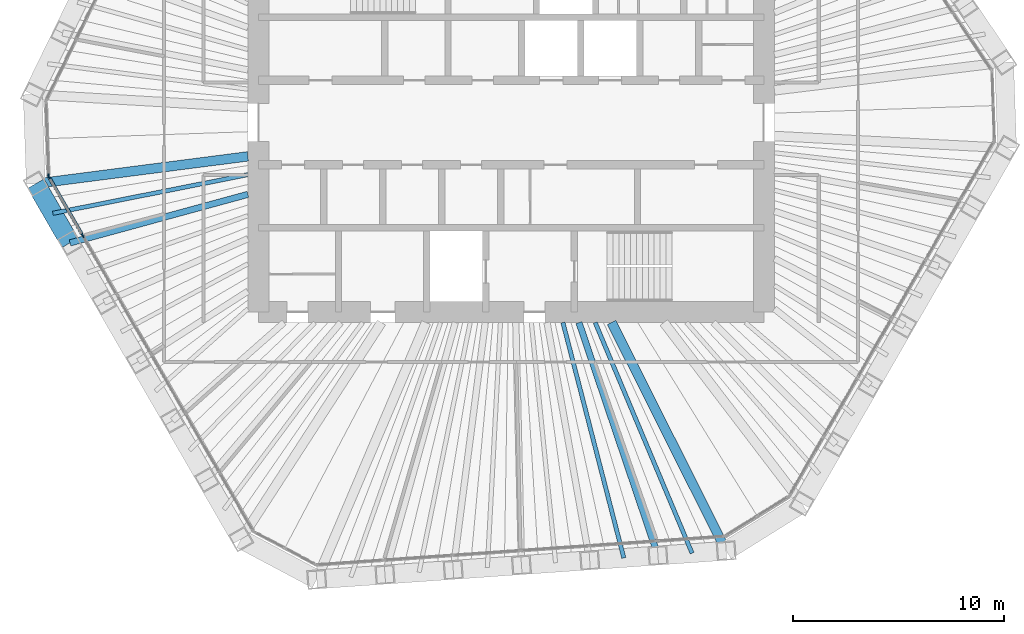
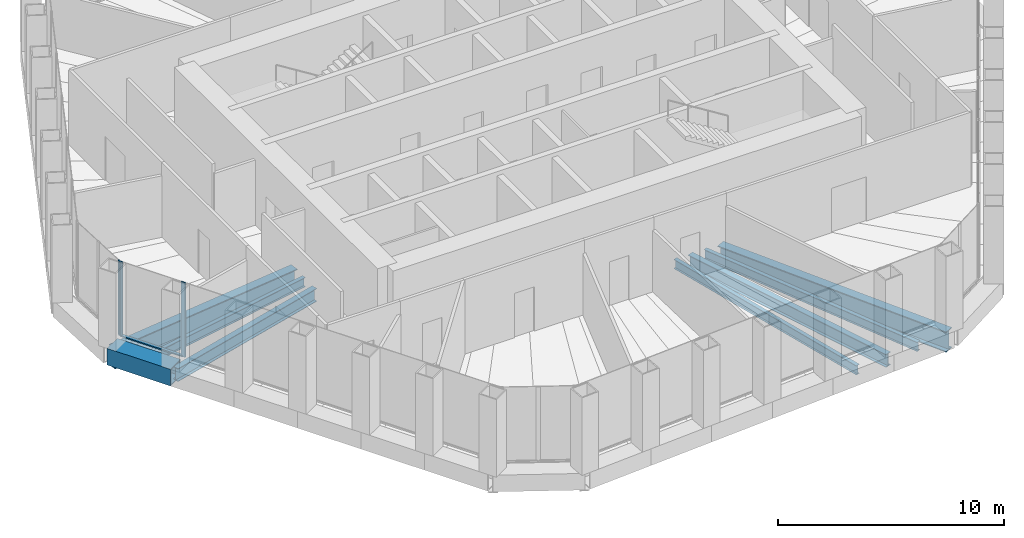
# One storey, part 3 of 14: 8 beams, 4 members, 2 elements without a shape of their own.
"""IFC4 building model written with IfcOpenShell, lengths in metres."""

import ifcopenshell
import ifcopenshell.guid

model = None  # the IFC model being written
_history = None  # IfcOwnerHistory: only IFC2X3 demands one
_inside = {}  # id of a spatial element -> (the spatial element, [elements in it])
_under = {}  # id of a project, library or spatial element -> (it, [spatial elements below it])
_declared = {}  # id of a project -> (the project, [libraries it declares])
_typed = {}  # id of a type object -> (the type object, [elements of that type])
_made_of = {}  # id of a material, layer set ... -> (it, [elements and type objects made of it])


def new_model(schema):
    """Start an empty IFC model of exactly this schema.

    Asked for "IFC4X3", IfcOpenShell would pick the latest addendum, in which some entities
    have other attributes; the version numbers below select the first issue.
    IFC2X3 requires an IfcOwnerHistory on every rooted entity: one is made here for all.
    """
    global model, _history
    if schema == "IFC4X3":
        model = ifcopenshell.file(schema_version=(4, 3, 0, 0))
    else:
        model = ifcopenshell.file(schema=schema)
    _inside.clear()
    _under.clear()
    _declared.clear()
    _typed.clear()
    _made_of.clear()
    _history = None
    if model.schema == "IFC2X3":
        org = make("IfcOrganization", Name="unknown")
        user = make(
            "IfcPersonAndOrganization",
            ThePerson=make("IfcPerson", FamilyName="unknown"),
            TheOrganization=org,
        )
        app = make(
            "IfcApplication",
            ApplicationDeveloper=org,
            Version="unknown",
            ApplicationFullName="unknown",
            ApplicationIdentifier="unknown",
        )
        _history = make(
            "IfcOwnerHistory",
            OwningUser=user,
            OwningApplication=app,
            ChangeAction="ADDED",
            CreationDate=0,
        )
    return model


def make(cls, **values):
    """One entity of the class cls with the attributes given. An attribute that is None is left unset."""
    return model.create_entity(
        cls, **{name: value for name, value in values.items() if value is not None}
    )


def rooted(cls, **values):
    """An entity with a GlobalId (a new one), such as an element, a storey or a relation."""
    return make(cls, GlobalId=ifcopenshell.guid.new(), OwnerHistory=_history, **values)


def si_unit(unit_type, name, prefix=None):
    """IfcSIUnit, for example si_unit("LENGTHUNIT", "METRE", prefix="MILLI")."""
    return make("IfcSIUnit", UnitType=unit_type, Prefix=prefix, Name=name)


def assignment(units):
    """IfcUnitAssignment: the units of a project."""
    return None if units is None else make("IfcUnitAssignment", Units=units)


def point(xyz):
    """IfcCartesianPoint."""
    return None if xyz is None else make("IfcCartesianPoint", Coordinates=xyz)


def direction(xyz):
    """IfcDirection."""
    return None if xyz is None else make("IfcDirection", DirectionRatios=xyz)


def frame(location, z_axis=None, x_axis=None):
    """IfcAxis2Placement3D, a coordinate frame: its origin and axes. An axis left out is left unset."""
    return make(
        "IfcAxis2Placement3D",
        Location=point(location),
        Axis=direction(z_axis),
        RefDirection=direction(x_axis),
    )


def frame_2d(location, x_axis=None):
    """IfcAxis2Placement2D, a coordinate frame in the plane: its origin and x axis."""
    return make(
        "IfcAxis2Placement2D", Location=point(location), RefDirection=direction(x_axis)
    )


def origin():
    """The frame at (0, 0, 0) with its axes left unset."""
    return frame((0.0, 0.0, 0.0))


def origin_2d():
    """The frame at (0, 0) in the plane with its x axis left unset."""
    return frame_2d((0.0, 0.0))


def place(relative_to, where):
    """IfcLocalPlacement: puts the frame where relative to a parent placement (None: the world)."""
    return make(
        "IfcLocalPlacement", PlacementRelTo=relative_to, RelativePlacement=where
    )


def context(
    kind, dimensions, precision=None, world=None, true_north=None, identifier=None
):
    """IfcGeometricRepresentationContext, for example the 3D "Model" context."""
    return make(
        "IfcGeometricRepresentationContext",
        ContextIdentifier=identifier,
        ContextType=kind,
        CoordinateSpaceDimension=dimensions,
        Precision=precision,
        WorldCoordinateSystem=world,
        TrueNorth=true_north,
    )


def subcontext(parent, identifier, kind, view, scale=None):
    """IfcGeometricRepresentationSubContext, for example "Body" below "Model"."""
    return make(
        "IfcGeometricRepresentationSubContext",
        ContextIdentifier=identifier,
        ContextType=kind,
        ParentContext=parent,
        TargetScale=scale,
        TargetView=view,
    )


def project(units=None, contexts=None):
    """IfcProject with its units and contexts."""
    return rooted(
        "IfcProject",
        Name="project",
        RepresentationContexts=contexts,
        UnitsInContext=assignment(units),
    )


def spatial(cls, under=None, at=None, **own):
    """A site, building, storey or space (cls), placed at a placement, below another one or the project."""
    s = rooted(cls, ObjectPlacement=at, **own)
    if under is not None:
        _under.setdefault(under.id(), (under, []))[1].append(s)
    return s


def profile(cls, at=None, kind="AREA", **sizes):
    """A parametric profile (cls). Its sizes go by their IFC names, for example OverallWidth=200.0."""
    return make(cls, ProfileType=kind, Position=at, **sizes)


def rectangle(**sizes):
    """IfcRectangleProfileDef."""
    return profile("IfcRectangleProfileDef", **sizes)


def hollow_rectangle(**sizes):
    """IfcRectangleHollowProfileDef."""
    return profile("IfcRectangleHollowProfileDef", **sizes)


def i_section(**sizes):
    """IfcIShapeProfileDef."""
    return profile("IfcIShapeProfileDef", **sizes)


def extrude(swept, where, along, depth):
    """IfcExtrudedAreaSolid: the profile swept, set in the frame where, extruded along a direction by depth."""
    return make(
        "IfcExtrudedAreaSolid",
        SweptArea=swept,
        Position=where,
        ExtrudedDirection=direction(along),
        Depth=depth,
    )


def shape(context_of_items, identifier, shape_type, items):
    """IfcShapeRepresentation: the items that make up one representation, for example the "Body"."""
    return make(
        "IfcShapeRepresentation",
        ContextOfItems=context_of_items,
        RepresentationIdentifier=identifier,
        RepresentationType=shape_type,
        Items=items,
    )


def material(Name=None, Category=None):
    """IfcMaterial."""
    return make("IfcMaterial", Name=Name, Category=Category)


def material_profile(
    of_material, cross_section, Name=None, Category=None, Priority=None
):
    """IfcMaterialProfile: a cross section and its material."""
    return make(
        "IfcMaterialProfile",
        Name=Name,
        Material=of_material,
        Profile=cross_section,
        Priority=Priority,
        Category=Category,
    )


def profile_set(profiles, Name=None, composite=None):
    """IfcMaterialProfileSet."""
    return make(
        "IfcMaterialProfileSet",
        Name=Name,
        MaterialProfiles=profiles,
        CompositeProfile=composite,
    )


def made_of(thing, what):
    """Note that an element or type object is made of a material, layer set ...; save() writes the relation."""
    if what is not None:
        _made_of.setdefault(what.id(), (what, []))[1].append(thing)
    return thing


def type_object(cls, material=None, **own):
    """A type object (cls), such as IfcWallType, which elements share."""
    return made_of(rooted(cls, **own), material)


def element(
    cls,
    number,
    at=None,
    inside=None,
    cuts=None,
    type_object=None,
    material=None,
    context=None,
    identifier="Body",
    shape_type=None,
    held_by="IfcProductDefinitionShape",
    body=None,
    shapes=None,
    **own,
):
    """One element of the class cls, such as IfcWall. Its Tag is "e" and its number.

    at: its placement. inside: the storey or other place that contains it. cuts: it is an
    opening in that element (IfcRelVoidsElement). A single representation is given by context,
    identifier, shape_type and body (its items); several are given by shapes. held_by: the class
    of the entity that holds the representations. save() writes the other relations.
    """
    e = rooted(cls, Tag="e%d" % number, ObjectPlacement=at, **own)
    if body is not None:
        shapes = [shape(context, identifier, shape_type, body)]
    if shapes is not None:
        e.Representation = make(held_by, Representations=shapes)
    if inside is not None:
        _inside.setdefault(inside.id(), (inside, []))[1].append(e)
    if cuts is not None:
        rooted(
            "IfcRelVoidsElement", RelatingBuildingElement=cuts, RelatedOpeningElement=e
        )
    if type_object is not None:
        _typed.setdefault(type_object.id(), (type_object, []))[1].append(e)
    return made_of(e, material)


def aggregate(whole, parts):
    """IfcRelAggregates: a whole, such as a stair, and the parts it consists of."""
    return rooted("IfcRelAggregates", RelatingObject=whole, RelatedObjects=parts)


def save(model, path):
    """Write the relations noted so far, then the file.

    IfcRelAggregates (storeys below a building ...), IfcRelContainedInSpatialStructure (elements
    in a storey), IfcRelDefinesByType, IfcRelAssociatesMaterial and IfcRelDeclares: one each for
    every whole, place, type object, material and project.
    """
    for whole, parts in _under.values():
        aggregate(whole, parts)
    for where, things in _inside.values():
        rooted(
            "IfcRelContainedInSpatialStructure",
            RelatedElements=things,
            RelatingStructure=where,
        )
    for kind, things in _typed.values():
        rooted("IfcRelDefinesByType", RelatedObjects=things, RelatingType=kind)
    for what, things in _made_of.values():
        rooted("IfcRelAssociatesMaterial", RelatedObjects=things, RelatingMaterial=what)
    for by, libraries in _declared.values():
        rooted("IfcRelDeclares", RelatingContext=by, RelatedDefinitions=libraries)
    model.write(path)


model = new_model("IFC4")

# Units and contexts
model_context = context("Model", 3, precision=1e-05, world=origin(), true_north=direction((0.0, 1.0)))
body_context = subcontext(model_context, "Body", "Model", "MODEL_VIEW")
ifc_project = project(units=[si_unit("LENGTHUNIT", "METRE"), si_unit("AREAUNIT", "SQUARE_METRE"), si_unit("VOLUMEUNIT", "CUBIC_METRE"), si_unit("PLANEANGLEUNIT", "RADIAN"), si_unit("MASSUNIT", "GRAM", prefix="KILO")], contexts=[model_context])

# Site, building, storey
site_placement = place(None, origin())
site = spatial("IfcSite", under=ifc_project, at=site_placement, CompositionType="ELEMENT")
building_placement = place(site_placement, origin())
building = spatial("IfcBuilding", under=site, at=building_placement, Name="Qingtian Harvest Tower", CompositionType="ELEMENT")
storey_placement = place(building_placement, frame((0.0, 0.0, 274.60009765625)))
storey = spatial("IfcBuildingStorey", under=building, at=storey_placement, Name="L60", CompositionType="ELEMENT", Elevation=274.60009765625)

# Beams
ifc_material_1 = material(Name="Steel SM570MC", Category="steel")
ifc_material_profile_1 = material_profile(ifc_material_1, i_section(OverallWidth=0.449951171875, OverallDepth=1.10009765625, WebThickness=0.02197265625, FlangeThickness=0.044921875, at=origin_2d()), Name="H1100x450x22x45")
ifc_profile_set_1 = profile_set([ifc_material_profile_1], Name="Steel SM570MC")
beam_type_1 = type_object("IfcBeamType", Name="Corner floor beam FB8 H1100x450x22x45", PredefinedType="BEAM", material=ifc_profile_set_1)
beam_1_placement = place(storey_placement, frame((10.20947265625, -20.33740234375, -0.72021484375), z_axis=(-0.448646499463, 0.89370930314, 0.0), x_axis=(-0.89370930314, -0.448646499463, 0.0)))
element("IfcBeam", 1, at=beam_1_placement, inside=storey, type_object=beam_type_1, Name="Floor beam FB8 S0", PredefinedType="BEAM", context=body_context, shape_type="SweptSolid", body=[
    extrude(i_section(OverallWidth=0.449951171875, OverallDepth=1.10009765625, WebThickness=0.02197265625, FlangeThickness=0.044921875, at=origin_2d()), origin(), (0.0, 0.0, 1.0), 12.126220703125),
])
beam_2_placement = place(storey_placement, frame((-22.569580078125, -2.908447265625, -0.72021484375), z_axis=(0.991799019918, 0.127807292784, 0.0), x_axis=(-0.127807292784, 0.991799019918, 0.0)))
element("IfcBeam", 2, at=beam_2_placement, inside=storey, type_object=beam_type_1, Name="Floor beam FB8 SW6", PredefinedType="BEAM", context=body_context, shape_type="SweptSolid", body=[
    extrude(i_section(OverallWidth=0.449951171875, OverallDepth=1.10009765625, WebThickness=0.02197265625, FlangeThickness=0.044921875, at=origin_2d()), origin(), (0.0, 0.0, 1.0), 10.15283203125),
])
ifc_material_2 = material(Name="Steel SN490B", Category="steel")
ifc_material_profile_2 = material_profile(ifc_material_2, i_section(OverallWidth=0.300048828125, OverallDepth=0.699951171875, WebThickness=0.012939453125, FlangeThickness=0.02392578125, at=origin_2d()), Name="H700x300x13x24")
ifc_profile_set_2 = profile_set([ifc_material_profile_2], Name="Steel SN490B")
beam_type_2 = type_object("IfcBeamType", Name="Floor beam FB4 H700x300x13x24", PredefinedType="BEAM", material=ifc_profile_set_2)
beam_3_placement = place(storey_placement, frame((6.96923828125, -20.56396484375, -0.52001953125), z_axis=(-0.320963665382, 0.947091508517, 0.0), x_axis=(-0.947091508517, -0.320963665382, 0.0)))
element("IfcBeam", 3, at=beam_3_placement, inside=storey, type_object=beam_type_2, Name="Floor beam FB4 S1", PredefinedType="BEAM", context=body_context, shape_type="SweptSolid", body=[
    extrude(i_section(OverallWidth=0.300048828125, OverallDepth=0.699951171875, WebThickness=0.012939453125, FlangeThickness=0.02392578125, at=origin_2d()), origin(), (0.0, 0.0, 1.0), 11.68212890625),
])
beam_4_placement = place(storey_placement, frame((-20.945556640625, -5.721435546875, -0.52001953125), z_axis=(0.964660783636, 0.263494919335, 0.0), x_axis=(-0.263494919335, 0.964660783636, 0.0)))
element("IfcBeam", 4, at=beam_4_placement, inside=storey, type_object=beam_type_2, Name="Floor beam FB4 SW5", PredefinedType="BEAM", context=body_context, shape_type="SweptSolid", body=[
    extrude(i_section(OverallWidth=0.300048828125, OverallDepth=0.699951171875, WebThickness=0.012939453125, FlangeThickness=0.02392578125, at=origin_2d()), origin(), (0.0, 0.0, 1.0), 8.7548828125),
])
ifc_material_3 = material(Name="Steel SN490B", Category="steel")
ifc_material_profile_3 = material_profile(ifc_material_3, i_section(OverallWidth=0.199951171875, OverallDepth=0.5, WebThickness=0.010009765625, FlangeThickness=0.01611328125, at=origin_2d()), Name="H500x200x10x16")
ifc_profile_set_3 = profile_set([ifc_material_profile_3], Name="Steel SN490B")
beam_type_3 = type_object("IfcBeamType", Name="Floor joist J3 H500x200x10x16", PredefinedType="JOIST", material=ifc_profile_set_3)
beam_5_placement = place(storey_placement, frame((8.58935546875, -20.45068359375, -0.420166015625), z_axis=(-0.387238075679, 0.921979757232, 0.0), x_axis=(-0.921979757232, -0.387238075679, 0.0)))
element("IfcBeam", 5, at=beam_5_placement, inside=storey, type_object=beam_type_3, Name="Floor joist J3 S0", PredefinedType="JOIST", context=body_context, shape_type="SweptSolid", body=[
    extrude(i_section(OverallWidth=0.199951171875, OverallDepth=0.5, WebThickness=0.010009765625, FlangeThickness=0.01611328125, at=origin_2d()), origin(), (0.0, 0.0, 1.0), 11.87744140625),
])
beam_6_placement = place(storey_placement, frame((5.349365234375, -20.67724609375, -0.420166015625), z_axis=(-0.250458686855, 0.968127288211, 0.0), x_axis=(-0.968127288211, -0.250458686855, 0.0)))
element("IfcBeam", 6, at=beam_6_placement, inside=storey, type_object=beam_type_3, Name="Floor joist J3 S1", PredefinedType="JOIST", context=body_context, shape_type="SweptSolid", body=[
    extrude(i_section(OverallWidth=0.199951171875, OverallDepth=0.5, WebThickness=0.010009765625, FlangeThickness=0.01611328125, at=origin_2d()), origin(), (0.0, 0.0, 1.0), 11.545166015625),
])
beam_7_placement = place(storey_placement, frame((-21.757568359375, -4.31494140625, -0.420166015625), z_axis=(0.980896774681, 0.194528962937, 0.0), x_axis=(-0.194528962937, 0.980896774681, 0.0)))
element("IfcBeam", 7, at=beam_7_placement, inside=storey, type_object=beam_type_3, Name="Floor joist J3 SW5", PredefinedType="JOIST", context=body_context, shape_type="SweptSolid", body=[
    extrude(i_section(OverallWidth=0.199951171875, OverallDepth=0.5, WebThickness=0.010009765625, FlangeThickness=0.01611328125, at=origin_2d()), origin(), (0.0, 0.0, 1.0), 9.437744140625),
])

# Curtain wall, members
ifc_material_4 = material(Name="Bronze-anodised aluminium curtain wall", Category="aluminium")
curtain_wall_type = type_object("IfcCurtainWallType", Name="Curtain wall CW5 upper office", PredefinedType="USERDEFINED", material=ifc_material_4)
curtain_wall_1_placement = place(storey_placement, origin())
curtain_wall_1 = element("IfcCurtainWall", 8, at=curtain_wall_1_placement, inside=storey, type_object=curtain_wall_type, Name="Curtain wall CW5 L60 SW0-5", ObjectType="RECESSED CURTAIN WALL", PredefinedType="USERDEFINED")
ifc_material_5 = material(Name="Bronze-anodised aluminium mullion", Category="aluminium")
ifc_material_profile_4 = material_profile(ifc_material_5, rectangle(XDim=0.06494140625, YDim=0.199951171875, at=origin_2d()), Name="AL 65x200")
ifc_profile_set_4 = profile_set([ifc_material_profile_4], Name="Bronze-anodised aluminium mullion")
member_type_1 = type_object("IfcMemberType", Name="Mullion CWM 65x200", PredefinedType="MULLION", material=ifc_profile_set_4)
member_1_placement = place(storey_placement, frame((-20.33935546875, -5.371337890625, 0.0), z_axis=(0.0, 0.0, 1.0), x_axis=(-0.866025403784, -0.5, 0.0)))
member_1 = element("IfcMember", 9, at=member_1_placement, type_object=member_type_1, Name="CW5 mullion 6", PredefinedType="MULLION", context=body_context, shape_type="SweptSolid", body=[
    extrude(rectangle(XDim=0.06494140625, YDim=0.199951171875, at=origin_2d()), origin(), (0.0, 0.0, 1.0), 4.02978515625),
])
member_2_placement = place(storey_placement, frame((-21.947021484375, -2.586669921875, 0.0), z_axis=(0.0, 0.0, 1.0), x_axis=(-0.866025403784, -0.5, 0.0)))
member_2 = element("IfcMember", 10, at=member_2_placement, type_object=member_type_1, Name="CW5 mullion 7", PredefinedType="MULLION", context=body_context, shape_type="SweptSolid", body=[
    extrude(rectangle(XDim=0.06494140625, YDim=0.199951171875, at=origin_2d()), origin(), (0.0, 0.0, 1.0), 4.02978515625),
])

# Curtain wall, member
curtain_wall_2_placement = place(storey_placement, origin())
curtain_wall_2 = element("IfcCurtainWall", 11, at=curtain_wall_2_placement, inside=storey, type_object=curtain_wall_type, Name="Curtain wall CW5 L60 SWC", ObjectType="RECESSED CURTAIN WALL", PredefinedType="USERDEFINED")
member_3_placement = place(storey_placement, frame((-21.96435546875, -2.526123046875, 0.0), z_axis=(0.0, 0.0, 1.0), x_axis=(-0.999390827019, -0.034899496703, 0.0)))
member_3 = element("IfcMember", 12, at=member_3_placement, type_object=member_type_1, Name="CW5 mullion 1", PredefinedType="MULLION", context=body_context, shape_type="SweptSolid", body=[
    extrude(rectangle(XDim=0.06494140625, YDim=0.199951171875, at=origin_2d()), origin(), (0.0, 0.0, 1.0), 4.02978515625),
])
aggregate(curtain_wall_2, [member_3])

# Beam
ifc_material_6 = material(Name="Steel SM570MC", Category="steel")
ifc_material_profile_5 = material_profile(ifc_material_6, hollow_rectangle(XDim=0.89990234375, YDim=0.89990234375, WallThickness=0.050048828125, at=origin_2d()), Name="BOX900x900x50")
ifc_profile_set_5 = profile_set([ifc_material_profile_5], Name="Steel SM570MC")
beam_type_4 = type_object("IfcBeamType", Name="Transition spandrel SB6 BOX900x900x50", PredefinedType="SPANDREL", material=ifc_profile_set_5)
beam_8_placement = place(storey_placement, frame((-20.945556640625, -5.721435546875, -0.4501953125), z_axis=(-0.499987045439, 0.866032882975, 0.0), x_axis=(-0.866032882975, -0.499987045439, 0.0)))
element("IfcBeam", 13, at=beam_8_placement, inside=storey, type_object=beam_type_4, Name="Spandrel SB6 SW5", PredefinedType="SPANDREL", context=body_context, shape_type="SweptSolid", body=[
    extrude(hollow_rectangle(XDim=0.89990234375, YDim=0.89990234375, WallThickness=0.050048828125, at=origin_2d()), origin(), (0.0, 0.0, 1.0), 3.248046875),
])

# Member
ifc_material_7 = material(Name="Bronze-anodised aluminium transom", Category="aluminium")
ifc_material_profile_6 = material_profile(ifc_material_7, rectangle(XDim=0.14990234375, YDim=0.06494140625, at=origin_2d()), Name="AL 65x150")
ifc_profile_set_6 = profile_set([ifc_material_profile_6], Name="Bronze-anodised aluminium transom")
member_type_2 = type_object("IfcMemberType", Name="Transom CWT 65x150", PredefinedType="USERDEFINED", material=ifc_profile_set_6)
member_4_placement = place(storey_placement, frame((-20.35546875, -5.34326171875, 0.032470703125), z_axis=(-0.499972881236, 0.866041060244, 0.0), x_axis=(-0.866041060244, -0.499972881236, 0.0)))
member_4 = element("IfcMember", 14, at=member_4_placement, type_object=member_type_2, Name="CW5 transom 6.1", ObjectType="TRANSOM", PredefinedType="USERDEFINED", context=body_context, shape_type="SweptSolid", body=[
    extrude(rectangle(XDim=0.14990234375, YDim=0.06494140625, at=origin_2d()), origin(), (0.0, 0.0, 1.0), 3.150634765625),
])

aggregate(curtain_wall_1, [member_1, member_2, member_4])

save(model, "model.ifc")
